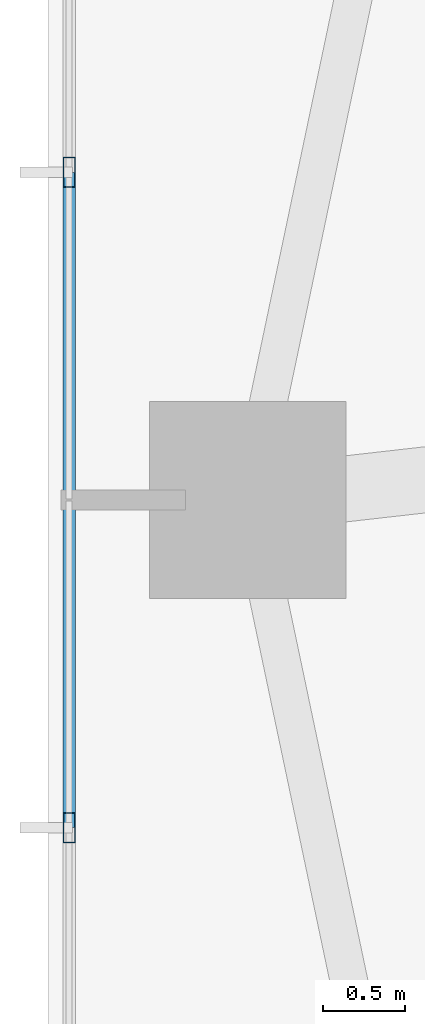
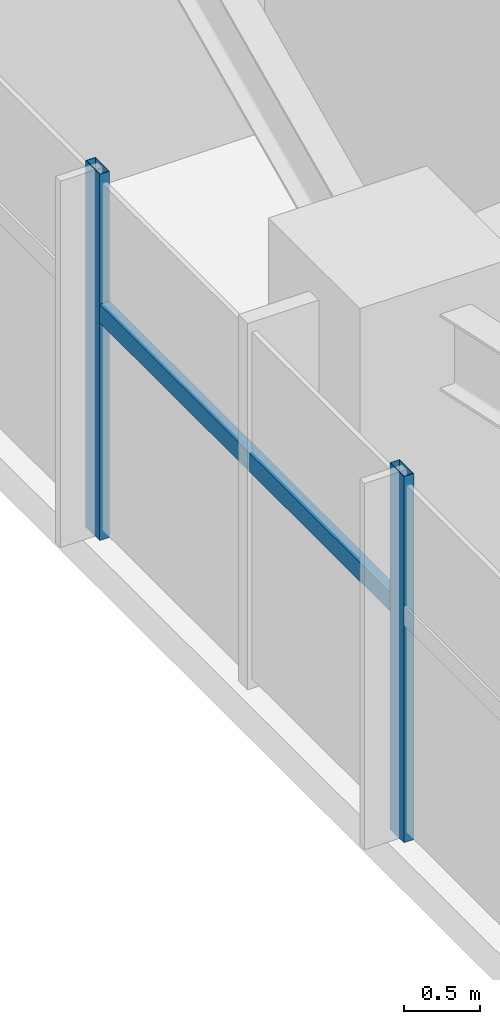
# One storey, part 4 of 25: 3 members, 1 element without a shape of its own.
"""IFC4 building model written with IfcOpenShell, lengths in metres."""

from ifc_helpers import new_model, si_unit, direction, frame, origin, origin_2d, place, context, subcontext, project, spatial, hollow_rectangle, extrude, source, transform, mapped, material, material_profile, profile_set, type_object, type_shapes, element, aggregate, save


model = new_model("IFC4")

# Units and contexts
model_context = context("Model", 3, precision=1e-05, world=origin(), true_north=direction((0.0, 1.0)))
body_context = subcontext(model_context, "Body", "Model", "MODEL_VIEW")
ifc_project = project(units=[si_unit("LENGTHUNIT", "METRE"), si_unit("AREAUNIT", "SQUARE_METRE"), si_unit("VOLUMEUNIT", "CUBIC_METRE"), si_unit("PLANEANGLEUNIT", "RADIAN"), si_unit("MASSUNIT", "GRAM", prefix="KILO")], contexts=[model_context])

# Site, building, storey
site_placement = place(None, origin())
site = spatial("IfcSite", under=ifc_project, at=site_placement, CompositionType="ELEMENT")
building_placement = place(site_placement, origin())
building = spatial("IfcBuilding", under=site, at=building_placement, Name="Astriad Promenade Condominiums", CompositionType="ELEMENT")
storey_placement = place(building_placement, frame((0.0, 0.0, 58.199951171875)))
storey = spatial("IfcBuildingStorey", under=building, at=storey_placement, Name="L16", CompositionType="ELEMENT", Elevation=58.199951171875)

# Curtain wall, members
ifc_material_1 = material(Name="Anodised aluminium Black Dark Glass Unitised", Category="aluminium")
curtain_wall_type = type_object("IfcCurtainWallType", Name="CW-B1-DARK", PredefinedType="USERDEFINED", material=ifc_material_1)
curtain_wall_placement = place(storey_placement, origin())
curtain_wall = element("IfcCurtainWall", 1, at=curtain_wall_placement, inside=storey, type_object=curtain_wall_type, Name="CW-L16-W", ObjectType="UNITISED_CURTAIN_WALL", PredefinedType="USERDEFINED")
ifc_material_2 = material(Name="Anodised aluminium 6063-T6 Black", Category="aluminium")
ifc_material_profile_1 = material_profile(ifc_material_2, hollow_rectangle(XDim=0.074951171875, YDim=0.18505859375, WallThickness=0.00439453125, at=origin_2d()), Name="ALU-MUL-75X185")
ifc_profile_set_1 = profile_set([ifc_material_profile_1], Name="Anodised aluminium 6063-T6 Black")
member_type_1 = type_object("IfcMemberType", Name="MUL-ALU-MUL-75X185", PredefinedType="MULLION", material=ifc_profile_set_1)
shared_shape_1 = source(origin(), body_context, "Body", "SweptSolid", [
    extrude(hollow_rectangle(XDim=0.074951171875, YDim=0.18505859375, WallThickness=0.00439453125, at=origin_2d()), origin(), (0.0, 0.0, 1.0), 2.93994140625),
])
type_shapes(member_type_1, [shared_shape_1])
member_1_placement = place(storey_placement, frame((5.929931640625, 13.199951171875, 0.0), z_axis=(0.0, 0.0, 1.0), x_axis=(1.0, 0.0, 0.0)))
member_1 = element("IfcMember", 2, at=member_1_placement, type_object=member_type_1, Name="CW-L16-W-MUL-02", PredefinedType="MULLION", context=body_context, shape_type="MappedRepresentation", body=[
    mapped(shared_shape_1, transform((0.0, 0.0, 0.0), scale=1.0)),
])
member_2_placement = place(storey_placement, frame((5.929931640625, 17.199951171875, 0.0), z_axis=(0.0, 0.0, 1.0), x_axis=(1.0, 0.0, 0.0)))
member_2 = element("IfcMember", 3, at=member_2_placement, type_object=member_type_1, Name="CW-L16-W-MUL-03", PredefinedType="MULLION", context=body_context, shape_type="MappedRepresentation", body=[
    mapped(shared_shape_1, transform((0.0, 0.0, 0.0), scale=1.0)),
])
ifc_material_profile_2 = material_profile(ifc_material_2, hollow_rectangle(XDim=0.074951171875, YDim=0.14990234375, WallThickness=0.004150390625, at=origin_2d()), Name="ALU-TRN-75X150")
ifc_profile_set_2 = profile_set([ifc_material_profile_2], Name="Anodised aluminium 6063-T6 Black")
member_type_2 = type_object("IfcMemberType", Name="TRN-ALU-TRN-75X150", PredefinedType="USERDEFINED", material=ifc_profile_set_2)
shared_shape_2 = source(origin(), body_context, "Body", "SweptSolid", [
    extrude(hollow_rectangle(XDim=0.074951171875, YDim=0.14990234375, WallThickness=0.004150390625, at=origin_2d()), origin(), (0.0, 0.0, 1.0), 4.0),
])
type_shapes(member_type_2, [shared_shape_2])
member_3_placement = place(storey_placement, frame((5.929931640625, 13.199951171875, 1.82275390625), z_axis=(0.0, 1.0, 0.0), x_axis=(-1.0, 0.0, 0.0)))
member_3 = element("IfcMember", 4, at=member_3_placement, type_object=member_type_2, Name="CW-L16-W-TRN-02-0", ObjectType="TRANSOM", PredefinedType="USERDEFINED", context=body_context, shape_type="MappedRepresentation", body=[
    mapped(shared_shape_2, transform((0.0, 0.0, 0.0), scale=1.0)),
])
aggregate(curtain_wall, [member_1, member_2, member_3])

save(model, "model.ifc")
